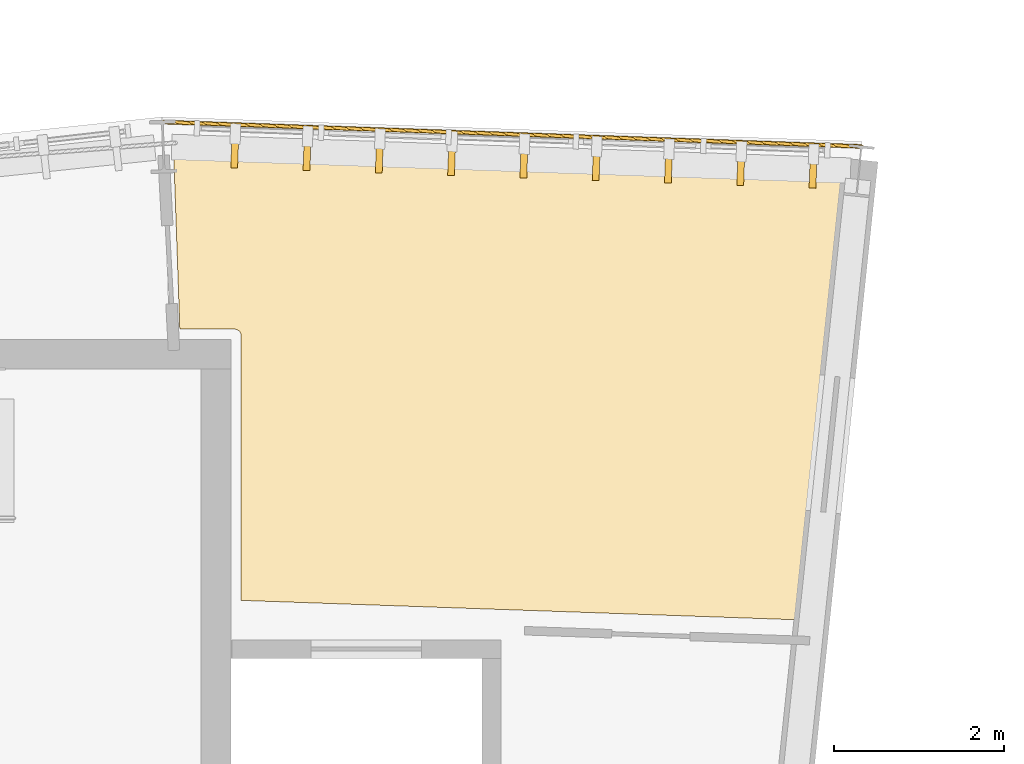
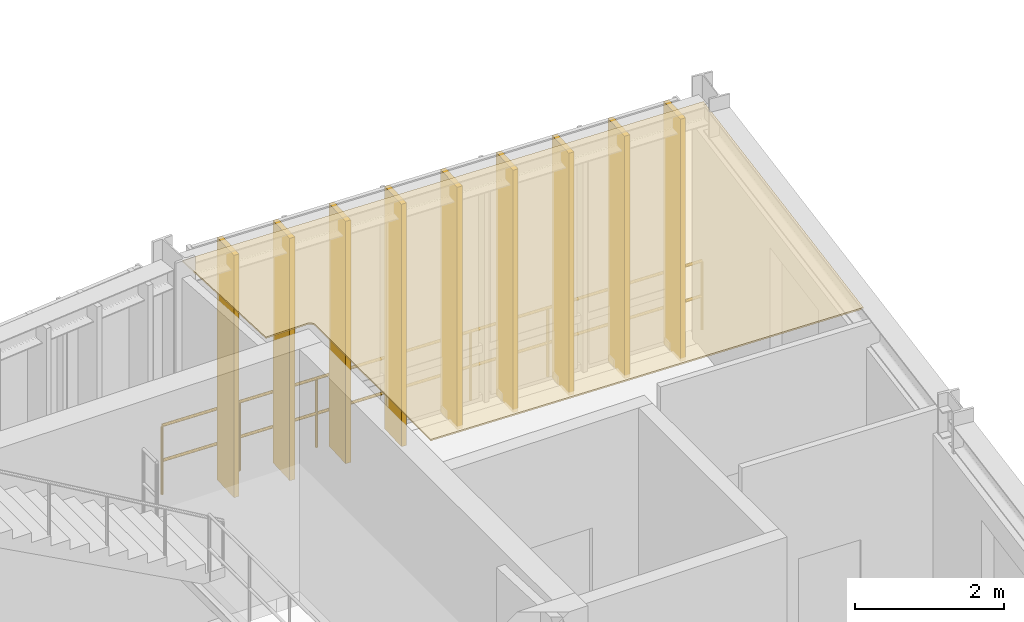
# One storey, part 147 of 148: 10 coverings, 1 railing.
"""IFC4 building model written with IfcOpenShell, lengths in metres."""

from ifc_helpers import new_model, si_unit, direction, frame, origin, origin_2d, place, context, subcontext, project, spatial, polyline, rectangle, circle, outline, extrude, material, layer, layer_set, type_object, element, save


model = new_model("IFC4")

# Units and contexts
model_context = context("Model", 3, precision=1e-05, world=origin(), true_north=direction((0.0, 1.0)))
body_context = subcontext(model_context, "Body", "Model", "MODEL_VIEW")
ifc_project = project(units=[si_unit("LENGTHUNIT", "METRE"), si_unit("AREAUNIT", "SQUARE_METRE"), si_unit("VOLUMEUNIT", "CUBIC_METRE"), si_unit("PLANEANGLEUNIT", "RADIAN"), si_unit("MASSUNIT", "GRAM", prefix="KILO"), si_unit("THERMODYNAMICTEMPERATUREUNIT", "KELVIN"), si_unit("POWERUNIT", "WATT")], contexts=[model_context])

# Site, building, storey
site_placement = place(None, origin())
site = spatial("IfcSite", under=ifc_project, at=site_placement, CompositionType="ELEMENT")
building_placement = place(site_placement, origin())
building = spatial("IfcBuilding", under=site, at=building_placement, Name="Solvatero Civic Police Headquarters", CompositionType="ELEMENT")
storey_placement = place(building_placement, frame((0.0, 0.0, 5.10009765625)))
storey = spatial("IfcBuildingStorey", under=building, at=storey_placement, Name="L01", CompositionType="ELEMENT", Elevation=5.10009765625)

# Coverings
ifc_material_1 = material(Name="Mineral-Fibre Acoustic Tile", Category="gypsum")
ifc_layer_1 = layer(ifc_material_1, 0.02490234375)
ifc_layer_set_1 = layer_set([ifc_layer_1], Name="Mineral-Fibre Acoustic Tile")
covering_type_1 = type_object("IfcCoveringType", Name="COV-CEIL-AC", PredefinedType="CEILING", material=ifc_layer_set_1)
covering_placement = place(storey_placement, frame((0.0, 0.0, 3.954833984375)))
element("IfcCovering", 1, at=covering_placement, inside=storey, type_object=covering_type_1, Name="Acoustic Ceiling Detective Casework Squad Room Bay 1", PredefinedType="CEILING", context=body_context, shape_type="SweptSolid", body=[
    extrude(outline(polyline([(92.07421875, 84.58984375), (100.00830078125, 84.312744140625), (99.455322265625, 79.052490234375), (92.8701171875, 79.2822265625), (92.8701171875, 82.389892578125), (92.86962890625, 82.397705078125), (92.868408203125, 82.405517578125), (92.86669921875, 82.4130859375), (92.864013671875, 82.420654296875), (92.860595703125, 82.427734375), (92.8564453125, 82.434326171875), (92.851806640625, 82.44091796875), (92.8466796875, 82.446533203125), (92.8408203125, 82.451904296875), (92.83447265625, 82.45654296875), (92.82763671875, 82.460693359375), (92.820556640625, 82.4638671875), (92.813232421875, 82.466552734375), (92.8056640625, 82.468505859375), (92.7978515625, 82.469482421875), (92.7900390625, 82.469970703125), (92.148193359375, 82.469970703125), (92.07421875, 84.58984375)])), origin(), (0.0, 0.0, 1.0), 0.025146484375),
])
ifc_material_2 = material(Name="Anodized Bronze Aluminium", Category="aluminium")
ifc_layer_2 = layer(ifc_material_2, 0.080078125)
ifc_layer_set_2 = layer_set([ifc_layer_2], Name="Anodized Bronze Aluminium")
covering_type_2 = type_object("IfcCoveringType", Name="COV-FIN-480", PredefinedType="CLADDING", material=ifc_layer_set_2)
for number, where, z_axis, x_axis, name in (
    (2, (99.591552734375, 84.366943359375, -0.02001953125), (0.0, 0.0, 1.0), (-0.999390827019, 0.034899496703, 0.0), "Vertical Brise-Soleil Fin 0157"),
    (3, (98.7421875, 84.396484375, -0.02001953125), (0.0, 0.0, 1.0), (-0.999390827019, 0.034899496703, 0.0), "Vertical Brise-Soleil Fin 0158"),
    (4, (97.892578125, 84.42626953125, -0.02001953125), (0.0, 0.0, 1.0), (-0.999390827019, 0.034899496703, 0.0), "Vertical Brise-Soleil Fin 0159"),
    (5, (97.043212890625, 84.455810546875, -0.02001953125), (0.0, 0.0, 1.0), (-0.999390827019, 0.034899496703, 0.0), "Vertical Brise-Soleil Fin 0160"),
    (6, (96.193603515625, 84.485595703125, -0.02001953125), (0.0, 0.0, 1.0), (-0.999390827019, 0.034899496703, 0.0), "Vertical Brise-Soleil Fin 0161"),
    (7, (95.34423828125, 84.51513671875, -0.02001953125), (0.0, 0.0, 1.0), (-0.999390827019, 0.034899496703, 0.0), "Vertical Brise-Soleil Fin 0162"),
    (8, (94.49462890625, 84.544921875, -0.02001953125), (0.0, 0.0, 1.0), (-0.999390827019, 0.034899496703, 0.0), "Vertical Brise-Soleil Fin 0163"),
    (9, (93.645263671875, 84.57470703125, -0.02001953125), (0.0, 0.0, 1.0), (-0.999390827019, 0.034899496703, 0.0), "Vertical Brise-Soleil Fin 0164"),
    (10, (92.795654296875, 84.604248046875, -0.02001953125), (0.0, 0.0, 1.0), (-0.999390827019, 0.034899496703, 0.0), "Vertical Brise-Soleil Fin 0165"),
):
    element("IfcCovering", number, at=place(storey_placement, frame(where, z_axis=z_axis, x_axis=x_axis)), inside=storey, type_object=covering_type_2, Name=name, PredefinedType="CLADDING", context=body_context, shape_type="SweptSolid", body=[
        extrude(rectangle(XDim=0.080078125, YDim=0.47998046875, at=origin_2d()), origin(), (0.0, 0.0, 1.0), 3.97998046875),
    ])

# Railing
ifc_material_3 = material(Name="Anodized Bronze and Laminated Glass", Category="glass")
railing_type = type_object("IfcRailingType", Name="RL-BAL-115", PredefinedType="BALUSTRADE", material=ifc_material_3)
railing_placement = place(storey_placement, frame((100.160888671875, 84.6171875, 0.0)))
element("IfcRailing", 11, at=railing_placement, inside=storey, type_object=railing_type, Name="Glazed Facade Sill Balustrade RL-L01-ARCOUT-B01", PredefinedType="BALUSTRADE", context=body_context, shape_type="SweptSolid", body=[
    extrude(circle(Radius=0.02392578125, at=origin_2d()), frame((0.0, 0.0, 1.1259765625), z_axis=(-0.999391275439, 0.034886653257, 0.0), x_axis=(-0.034886653257, -0.999391275439, 0.0)), (0.0, 0.0, 1.0), 8.222900390625),
    extrude(circle(Radius=0.02392578125, at=origin_2d()), frame((0.0, 0.0, 0.55078125), z_axis=(-0.999391275439, 0.034886653257, 0.0), x_axis=(-0.034886653257, -0.999391275439, 0.0)), (0.0, 0.0, 1.0), 8.222900390625),
    extrude(circle(Radius=0.02099609375, at=origin_2d()), origin(), (0.0, 0.0, 1.0), 1.101806640625),
    extrude(circle(Radius=0.02099609375, at=origin_2d()), frame((-1.174072265625, 0.041015625, 0.0)), (0.0, 0.0, 1.0), 1.101806640625),
    extrude(circle(Radius=0.02099609375, at=origin_2d()), frame((-2.347900390625, 0.08203125, 0.0)), (0.0, 0.0, 1.0), 1.101806640625),
    extrude(circle(Radius=0.02099609375, at=origin_2d()), frame((-3.52197265625, 0.123046875, 0.0)), (0.0, 0.0, 1.0), 1.101806640625),
    extrude(circle(Radius=0.02099609375, at=origin_2d()), frame((-4.69580078125, 0.163818359375, 0.0)), (0.0, 0.0, 1.0), 1.101806640625),
    extrude(circle(Radius=0.02099609375, at=origin_2d()), frame((-5.869873046875, 0.204833984375, 0.0)), (0.0, 0.0, 1.0), 1.101806640625),
    extrude(circle(Radius=0.02099609375, at=origin_2d()), frame((-7.043701171875, 0.245849609375, 0.0)), (0.0, 0.0, 1.0), 1.101806640625),
    extrude(circle(Radius=0.02099609375, at=origin_2d()), frame((-8.2177734375, 0.286865234375, 0.0)), (0.0, 0.0, 1.0), 1.101806640625),
])

save(model, "model.ifc")
